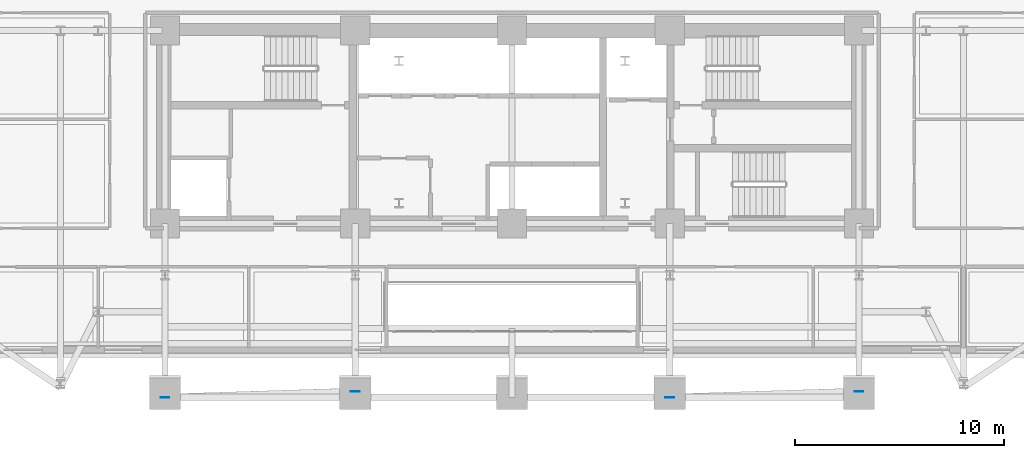
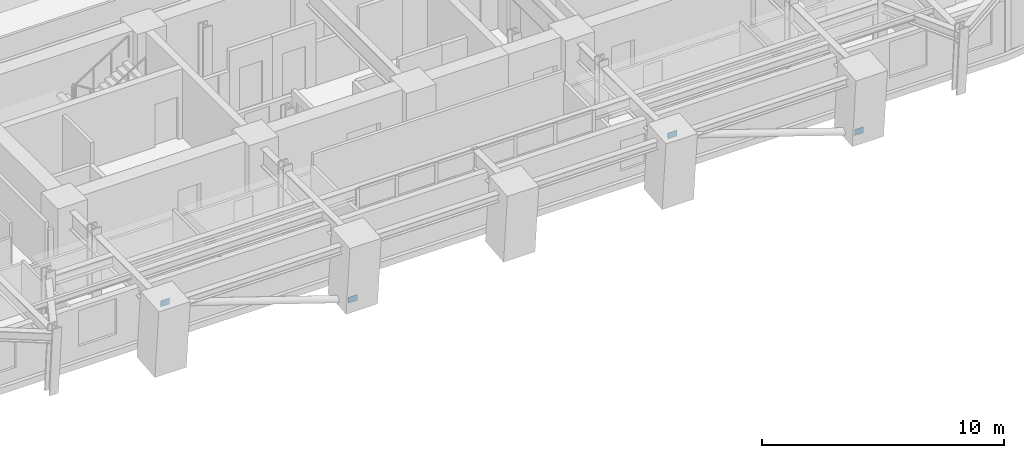
# One storey, part 6 of 15: 4 plates.
"""IFC4 building model written with IfcOpenShell, lengths in metres."""

from ifc_helpers import new_model, si_unit, direction, frame, origin, origin_2d, place, context, subcontext, project, spatial, rectangle, extrude, material, layer, layer_set, type_object, element, save


model = new_model("IFC4")

# Units and contexts
model_context = context("Model", 3, precision=1e-05, world=origin(), true_north=direction((0.0, 1.0)))
body_context = subcontext(model_context, "Body", "Model", "MODEL_VIEW")
ifc_project = project(units=[si_unit("LENGTHUNIT", "METRE"), si_unit("AREAUNIT", "SQUARE_METRE"), si_unit("VOLUMEUNIT", "CUBIC_METRE"), si_unit("PLANEANGLEUNIT", "RADIAN"), si_unit("MASSUNIT", "GRAM", prefix="KILO")], contexts=[model_context])

# Site, building, storey
site_placement = place(None, origin())
site = spatial("IfcSite", under=ifc_project, at=site_placement, CompositionType="ELEMENT")
building_placement = place(site_placement, origin())
building = spatial("IfcBuilding", under=site, at=building_placement, Name="Zarnavel Station Tower", CompositionType="ELEMENT")
storey_placement = place(building_placement, frame((0.0, 0.0, 71.0)))
storey = spatial("IfcBuildingStorey", under=building, at=storey_placement, Name="L19", CompositionType="ELEMENT", Elevation=71.0)

# Plates
ifc_material = material(Name="Steel S460M", Category="steel")
ifc_layer = layer(ifc_material, 0.02490234375)
ifc_layer_set = layer_set([ifc_layer], Name="GP_GUSSET_25")
plate_type = type_object("IfcPlateType", Name="GP_GUSSET_25", PredefinedType="USERDEFINED", material=ifc_layer_set)
for number, where, z_axis, x_axis, name in (
    (1, (21.300048828125, 19.7939453125, -0.14990234375), (0.0, 0.0, 1.0), (1.0, 0.0, 0.0), "L19 Exterior Diagonal Brace End Gusset 1-1"),
    (2, (12.199951171875, 19.505859375, 3.02978515625), (0.0, 0.0, 1.0), (1.0, 0.0, 0.0), "L19 Exterior Diagonal Brace End Gusset 1-2"),
    (3, (45.39990234375, 19.7939453125, -0.14990234375), (0.0, 0.0, 1.0), (1.0, 0.0, 0.0), "L19 Exterior Diagonal Brace End Gusset 2-1"),
    (4, (36.35009765625, 19.505859375, 3.02978515625), (0.0, 0.0, 1.0), (1.0, 0.0, 0.0), "L19 Exterior Diagonal Brace End Gusset 2-2"),
):
    element("IfcPlate", number, at=place(storey_placement, frame(where, z_axis=z_axis, x_axis=x_axis)), inside=storey, type_object=plate_type, Name=name, ObjectType="GUSSET_PLATE", PredefinedType="USERDEFINED", context=body_context, shape_type="SweptSolid", body=[
        extrude(rectangle(XDim=0.419921875, YDim=0.02490234375, at=origin_2d()), origin(), (0.0, 0.0, 1.0), 0.300048828125),
    ])

save(model, "model.ifc")
